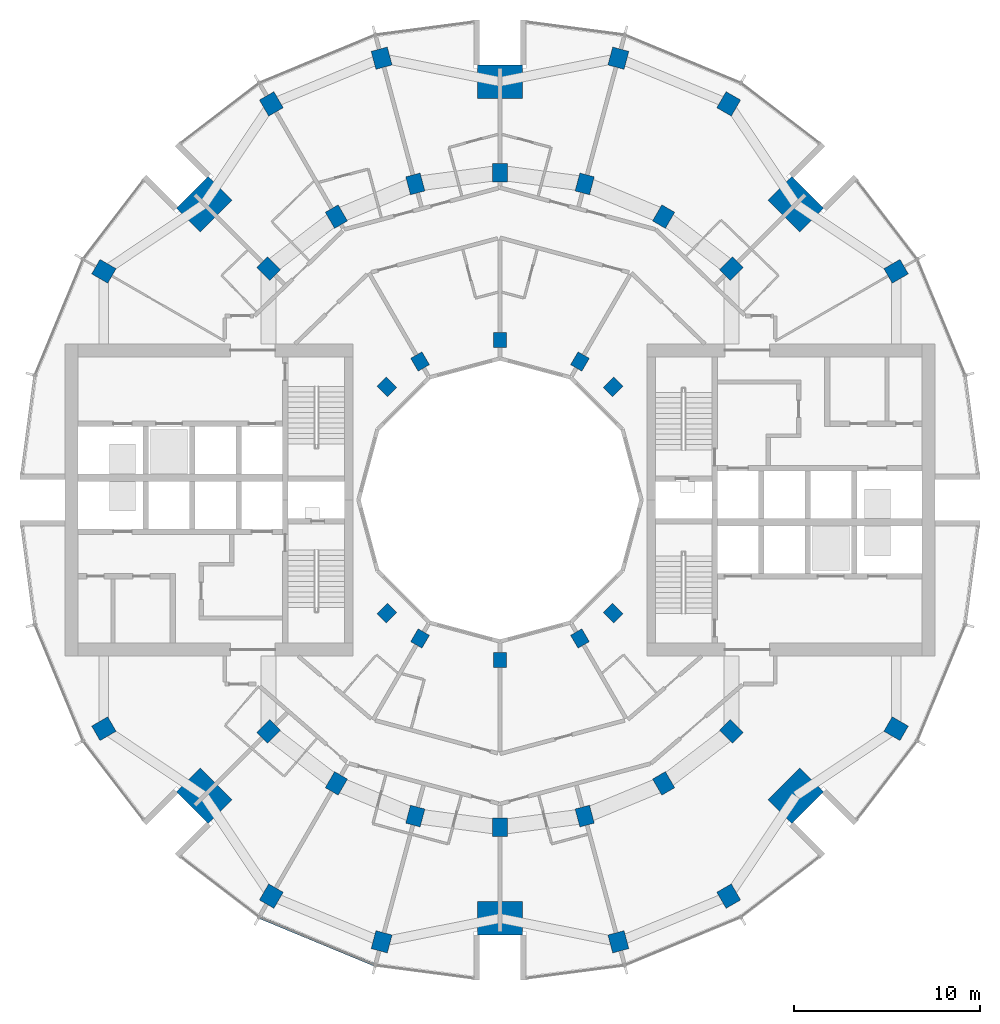
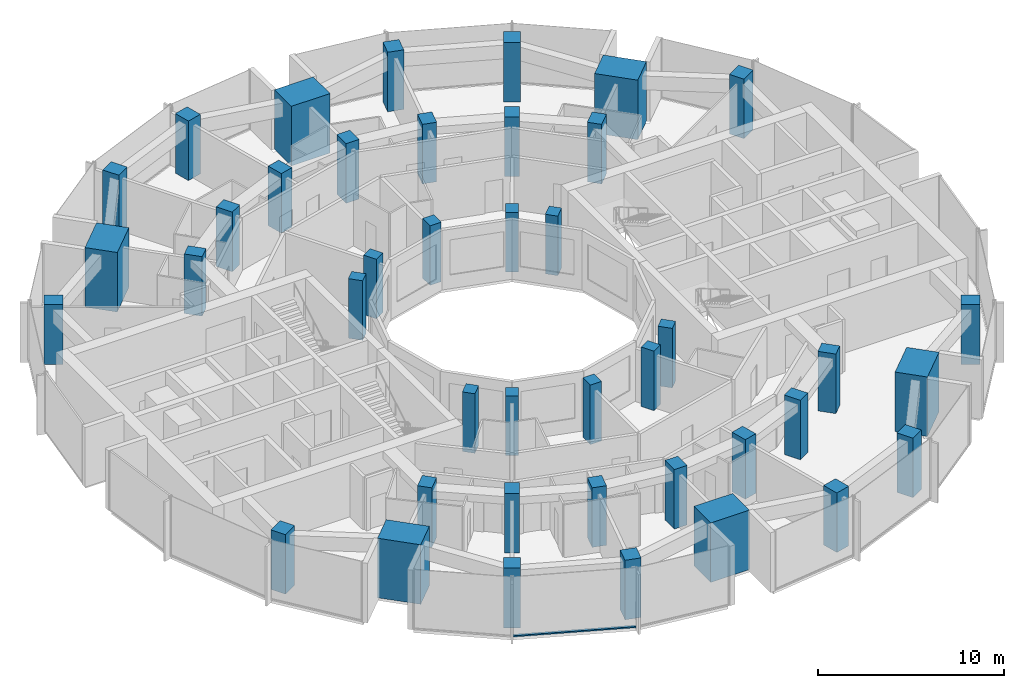
# One storey, part 1 of 15: 42 columns, 1 member, 1 element without a shape of its own.
"""IFC4 building model written with IfcOpenShell, lengths in metres."""

from ifc_helpers import new_model, si_unit, direction, frame, origin, origin_2d, place, context, subcontext, project, spatial, rectangle, extrude, material, layer, layer_set, material_profile, profile_set, type_object, element, aggregate, save


model = new_model("IFC4")

# Units and contexts
model_context = context("Model", 3, precision=1e-05, world=origin(), true_north=direction((0.0, 1.0)))
body_context = subcontext(model_context, "Body", "Model", "MODEL_VIEW")
ifc_project = project(units=[si_unit("LENGTHUNIT", "METRE"), si_unit("AREAUNIT", "SQUARE_METRE"), si_unit("VOLUMEUNIT", "CUBIC_METRE"), si_unit("PLANEANGLEUNIT", "RADIAN"), si_unit("MASSUNIT", "GRAM", prefix="KILO")], contexts=[model_context])

# Site, building, storey
site_placement = place(None, origin())
site = spatial("IfcSite", under=ifc_project, at=site_placement, CompositionType="ELEMENT")
building_placement = place(site_placement, origin())
building = spatial("IfcBuilding", under=site, at=building_placement, Name="Torre Brocal", CompositionType="ELEMENT")
storey_placement = place(building_placement, frame((0.0, 0.0, 138.0)))
storey = spatial("IfcBuildingStorey", under=building, at=storey_placement, Name="L32", CompositionType="ELEMENT", Elevation=138.0)

# Columns
ifc_material_1 = material(Name="Concrete C70", Category="concrete")
ifc_material_profile_1 = material_profile(ifc_material_1, rectangle(XDim=1.0, YDim=0.800048828125, at=origin_2d()), Name="RC 1000X800")
ifc_profile_set_1 = profile_set([ifc_material_profile_1], Name="Concrete C70")
column_type_1 = type_object("IfcColumnType", Name="RC COLUMN 1000X800 C70", PredefinedType="COLUMN", material=ifc_profile_set_1)
for number, where, z_axis, x_axis, name in (
    (1, (92.445068359375, 87.445068359375, 0.0), (0.0, 0.0, 1.0), (0.707106781187, 0.707106781187, 0.0), "Column C-M03"),
    (2, (88.800048828125, 90.241943359375, 0.0), (0.0, 0.0, 1.0), (0.5, 0.866025403784, 0.0), "Column C-M04"),
    (3, (84.55517578125, 92.000244140625, 0.0), (0.0, 0.0, 1.0), (0.258819045103, 0.965925826289, 0.0), "Column C-M05"),
    (4, (80.0, 92.60009765625, 0.0), (0.0, 0.0, 1.0), (0.0, 1.0, 0.0), "Column C-M06"),
    (5, (75.44482421875, 92.000244140625, 0.0), (0.0, 0.0, 1.0), (-0.258819045103, 0.965925826289, 0.0), "Column C-M07"),
    (6, (71.199951171875, 90.241943359375, 0.0), (0.0, 0.0, 1.0), (-0.5, 0.866025403784, 0.0), "Column C-M08"),
    (7, (67.554931640625, 87.445068359375, 0.0), (0.0, 0.0, 1.0), (-0.707106781187, 0.707106781187, 0.0), "Column C-M09"),
    (8, (67.554931640625, 62.554931640625, 0.0), (0.0, 0.0, 1.0), (-0.707106781187, -0.707106781187, 0.0), "Column C-M15"),
    (9, (71.199951171875, 59.758056640625, 0.0), (0.0, 0.0, 1.0), (-0.5, -0.866025403784, 0.0), "Column C-M16"),
    (10, (75.44482421875, 57.999755859375, 0.0), (0.0, 0.0, 1.0), (-0.258819045103, -0.965925826289, 0.0), "Column C-M17"),
    (11, (80.0, 57.39990234375, 0.0), (0.0, 0.0, 1.0), (0.0, -1.0, 0.0), "Column C-M18"),
    (12, (84.55517578125, 57.999755859375, 0.0), (0.0, 0.0, 1.0), (0.258819045103, -0.965925826289, 0.0), "Column C-M19"),
    (13, (88.800048828125, 59.758056640625, 0.0), (0.0, 0.0, 1.0), (0.5, -0.866025403784, 0.0), "Column C-M20"),
    (14, (92.445068359375, 62.554931640625, 0.0), (0.0, 0.0, 1.0), (0.707106781187, -0.707106781187, 0.0), "Column C-M21"),
):
    element("IfcColumn", number, at=place(storey_placement, frame(where, z_axis=z_axis, x_axis=x_axis)), inside=storey, type_object=column_type_1, Name=name, PredefinedType="COLUMN", context=body_context, shape_type="SweptSolid", body=[
        extrude(rectangle(XDim=1.0, YDim=0.800048828125, at=origin_2d()), origin(), (0.0, 0.0, 1.0), 3.89990234375),
    ])
ifc_material_2 = material(Name="Concrete C70", Category="concrete")
ifc_material_profile_2 = material_profile(ifc_material_2, rectangle(XDim=1.0, YDim=0.89990234375, at=origin_2d()), Name="RC 1000X900")
ifc_profile_set_2 = profile_set([ifc_material_profile_2], Name="Concrete C70")
column_type_2 = type_object("IfcColumnType", Name="RC COLUMN 1000X900 C70", PredefinedType="COLUMN", material=ifc_profile_set_2)
for number, where, z_axis, x_axis, name in (
    (15, (101.30419921875, 87.300048828125, 0.0), (0.0, 0.0, 1.0), (0.866025403784, 0.5, 0.0), "Column C-O02"),
    (16, (92.300048828125, 96.30419921875, 0.0), (0.0, 0.0, 1.0), (0.5, 0.866025403784, 0.0), "Column C-O04"),
    (17, (86.366943359375, 98.76171875, 0.0), (0.0, 0.0, 1.0), (0.258819045103, 0.965925826289, 0.0), "Column C-O05"),
    (18, (73.633056640625, 98.76171875, 0.0), (0.0, 0.0, 1.0), (-0.258819045103, 0.965925826289, 0.0), "Column C-O07"),
    (19, (67.699951171875, 96.30419921875, 0.0), (0.0, 0.0, 1.0), (-0.5, 0.866025403784, 0.0), "Column C-O08"),
    (20, (58.69580078125, 87.300048828125, 0.0), (0.0, 0.0, 1.0), (-0.866025403784, 0.5, 0.0), "Column C-O10"),
    (21, (58.69580078125, 62.699951171875, 0.0), (0.0, 0.0, 1.0), (-0.866025403784, -0.5, 0.0), "Column C-O14"),
    (22, (67.699951171875, 53.69580078125, 0.0), (0.0, 0.0, 1.0), (-0.5, -0.866025403784, 0.0), "Column C-O16"),
    (23, (73.633056640625, 51.23828125, 0.0), (0.0, 0.0, 1.0), (-0.258819045103, -0.965925826289, 0.0), "Column C-O17"),
    (24, (86.366943359375, 51.23828125, 0.0), (0.0, 0.0, 1.0), (0.258819045103, -0.965925826289, 0.0), "Column C-O19"),
    (25, (92.300048828125, 53.69580078125, 0.0), (0.0, 0.0, 1.0), (0.5, -0.866025403784, 0.0), "Column C-O20"),
    (26, (101.30419921875, 62.699951171875, 0.0), (0.0, 0.0, 1.0), (0.866025403784, -0.5, 0.0), "Column C-O22"),
):
    element("IfcColumn", number, at=place(storey_placement, frame(where, z_axis=z_axis, x_axis=x_axis)), inside=storey, type_object=column_type_2, Name=name, PredefinedType="COLUMN", context=body_context, shape_type="SweptSolid", body=[
        extrude(rectangle(XDim=1.0, YDim=0.89990234375, at=origin_2d()), origin(), (0.0, 0.0, 1.0), 3.89990234375),
    ])
ifc_material_3 = material(Name="Concrete C70", Category="concrete")
ifc_material_profile_3 = material_profile(ifc_material_3, rectangle(XDim=1.800048828125, YDim=2.39990234375, at=origin_2d()), Name="RC 1800X2400")
ifc_profile_set_3 = profile_set([ifc_material_profile_3], Name="Concrete C70")
column_type_3 = type_object("IfcColumnType", Name="RC COLUMN 1800X2400 C70", PredefinedType="COLUMN", material=ifc_profile_set_3)
for number, where, z_axis, x_axis, name in (
    (27, (95.909912109375, 90.909912109375, 0.0), (0.0, 0.0, 1.0), (0.707106781187, 0.707106781187, 0.0), "Column MC-1"),
    (28, (80.0, 97.5, 0.0), (0.0, 0.0, 1.0), (0.0, 1.0, 0.0), "Column MC-2"),
    (29, (64.090087890625, 90.909912109375, 0.0), (0.0, 0.0, 1.0), (-0.707106781187, 0.707106781187, 0.0), "Column MC-3"),
    (30, (64.090087890625, 59.090087890625, 0.0), (0.0, 0.0, 1.0), (-0.707106781187, -0.707106781187, 0.0), "Column MC-5"),
    (31, (80.0, 52.5, 0.0), (0.0, 0.0, 1.0), (0.0, -1.0, 0.0), "Column MC-6"),
    (32, (95.909912109375, 59.090087890625, 0.0), (0.0, 0.0, 1.0), (0.707106781187, -0.707106781187, 0.0), "Column MC-7"),
):
    element("IfcColumn", number, at=place(storey_placement, frame(where, z_axis=z_axis, x_axis=x_axis)), inside=storey, type_object=column_type_3, Name=name, PredefinedType="COLUMN", context=body_context, shape_type="SweptSolid", body=[
        extrude(rectangle(XDim=1.800048828125, YDim=2.39990234375, at=origin_2d()), origin(), (0.0, 0.0, 1.0), 3.89990234375),
    ])
ifc_material_4 = material(Name="Concrete C70", Category="concrete")
ifc_material_profile_4 = material_profile(ifc_material_4, rectangle(XDim=0.800048828125, YDim=0.699951171875, at=origin_2d()), Name="RC 800X700")
ifc_profile_set_4 = profile_set([ifc_material_profile_4], Name="Concrete C70")
column_type_4 = type_object("IfcColumnType", Name="RC COLUMN 800X700 C70", PredefinedType="COLUMN", material=ifc_profile_set_4)
for number, where, z_axis, x_axis, name in (
    (33, (86.0810546875, 81.0810546875, 0.0), (0.0, 0.0, 1.0), (0.707106781187, 0.707106781187, 0.0), "Column C-I03"),
    (34, (84.300048828125, 82.44775390625, 0.0), (0.0, 0.0, 1.0), (0.5, 0.866025403784, 0.0), "Column C-I04"),
    (35, (80.0, 83.60009765625, 0.0), (0.0, 0.0, 1.0), (0.0, 1.0, 0.0), "Column C-I06"),
    (36, (75.699951171875, 82.44775390625, 0.0), (0.0, 0.0, 1.0), (-0.5, 0.866025403784, 0.0), "Column C-I08"),
    (37, (73.9189453125, 81.0810546875, 0.0), (0.0, 0.0, 1.0), (-0.707106781187, 0.707106781187, 0.0), "Column C-I09"),
    (38, (73.9189453125, 68.9189453125, 0.0), (0.0, 0.0, 1.0), (-0.707106781187, -0.707106781187, 0.0), "Column C-I15"),
    (39, (75.699951171875, 67.55224609375, 0.0), (0.0, 0.0, 1.0), (-0.5, -0.866025403784, 0.0), "Column C-I16"),
    (40, (80.0, 66.39990234375, 0.0), (0.0, 0.0, 1.0), (0.0, -1.0, 0.0), "Column C-I18"),
    (41, (84.300048828125, 67.55224609375, 0.0), (0.0, 0.0, 1.0), (0.5, -0.866025403784, 0.0), "Column C-I20"),
    (42, (86.0810546875, 68.9189453125, 0.0), (0.0, 0.0, 1.0), (0.707106781187, -0.707106781187, 0.0), "Column C-I21"),
):
    element("IfcColumn", number, at=place(storey_placement, frame(where, z_axis=z_axis, x_axis=x_axis)), inside=storey, type_object=column_type_4, Name=name, PredefinedType="COLUMN", context=body_context, shape_type="SweptSolid", body=[
        extrude(rectangle(XDim=0.800048828125, YDim=0.699951171875, at=origin_2d()), origin(), (0.0, 0.0, 1.0), 3.89990234375),
    ])

# Curtain wall, member
ifc_material_5 = material(Name="Aluminium and glass", Category="aluminium")
ifc_layer = layer(ifc_material_5, 0.199951171875)
ifc_layer_set = layer_set([ifc_layer], Name="Aluminium and glass")
curtain_wall_type = type_object("IfcCurtainWallType", Name="CW-1 CURTAIN WALL 3900 HIGH", PredefinedType="NOTDEFINED", material=ifc_layer_set)
curtain_wall_placement = place(storey_placement, origin())
curtain_wall = element("IfcCurtainWall", 43, at=curtain_wall_placement, inside=storey, type_object=curtain_wall_type, Name="CW-1 RUN 17", PredefinedType="NOTDEFINED")
ifc_material_6 = material(Name="Aluminium, dark anodised", Category="aluminium")
ifc_material_profile_5 = material_profile(ifc_material_6, rectangle(XDim=0.159912109375, YDim=0.080078125, at=origin_2d()), Name="CW-1 TRANSOM 160X80")
ifc_profile_set_5 = profile_set([ifc_material_profile_5], Name="Aluminium, dark anodised")
member_type = type_object("IfcMemberType", Name="CW-1 TRANSOM 160X80", PredefinedType="USERDEFINED", material=ifc_profile_set_5)
member_placement = place(storey_placement, frame((67.10595703125, 52.547607421875, 0.0400390625), z_axis=(0.923887344364, -0.38266457234, 0.0), x_axis=(0.38266457234, 0.923887344364, 0.0)))
member = element("IfcMember", 44, at=member_placement, type_object=member_type, Name="CW1-3 transom 1.1", ObjectType="TRANSOM", PredefinedType="USERDEFINED", context=body_context, shape_type="SweptSolid", body=[
    extrude(rectangle(XDim=0.159912109375, YDim=0.080078125, at=origin_2d()), origin(), (0.0, 0.0, 1.0), 6.640869140625),
])
aggregate(curtain_wall, [member])

save(model, "model.ifc")
